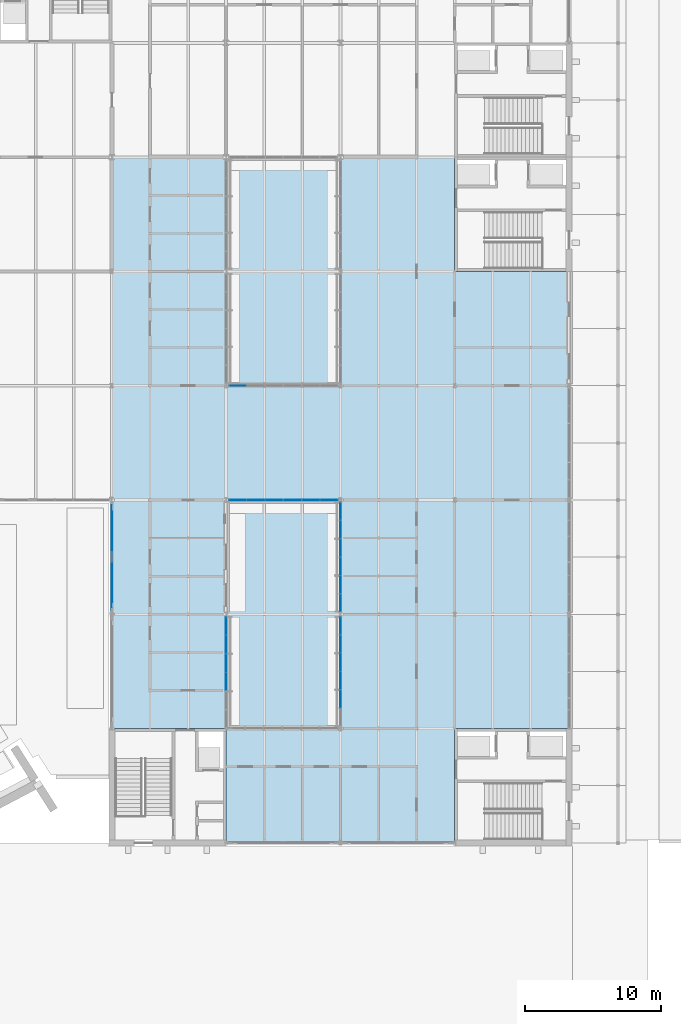
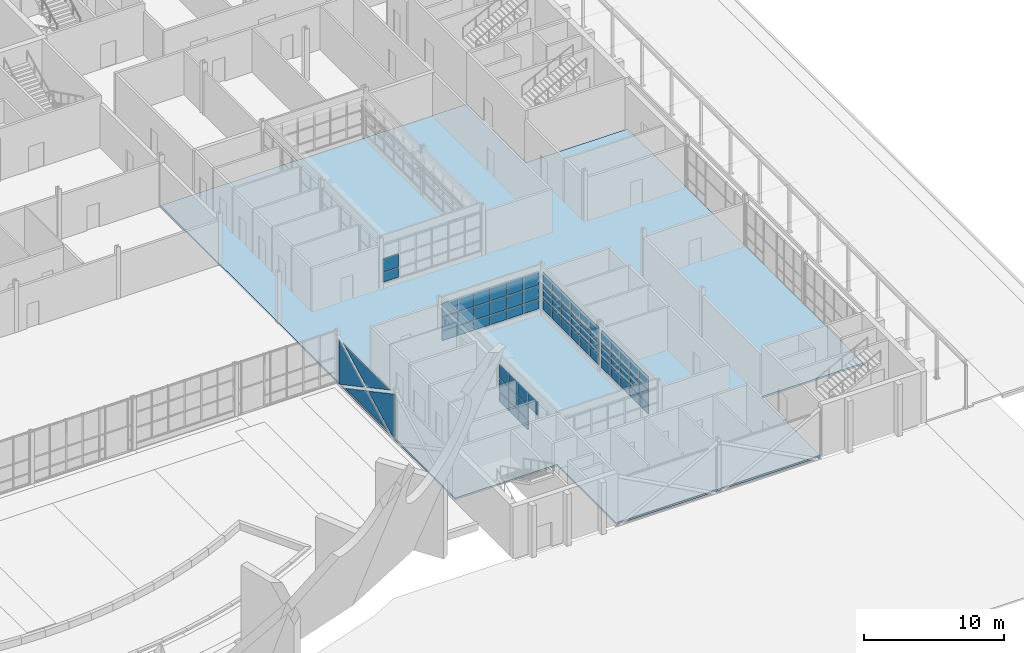
# One storey, part 76 of 116: 67 plates, 1 slab, 6 elements without a shape of their own.
"""IFC4 building model written with IfcOpenShell, lengths in metres."""

from ifc_helpers import new_model, si_unit, direction, frame, origin, origin_2d, place, context, subcontext, project, spatial, polyline, rectangle, outline, extrude, material, layer, layer_set, type_object, element, aggregate, save


model = new_model("IFC4")

# Units and contexts
model_context = context("Model", 3, precision=1e-05, world=origin(), true_north=direction((0.0, 1.0)))
body_context = subcontext(model_context, "Body", "Model", "MODEL_VIEW")
ifc_project = project(units=[si_unit("LENGTHUNIT", "METRE"), si_unit("AREAUNIT", "SQUARE_METRE"), si_unit("VOLUMEUNIT", "CUBIC_METRE"), si_unit("PLANEANGLEUNIT", "RADIAN"), si_unit("MASSUNIT", "GRAM", prefix="KILO")], contexts=[model_context])

# Site, building, storey
site_placement = place(None, origin())
site = spatial("IfcSite", under=ifc_project, at=site_placement, CompositionType="ELEMENT")
building_placement = place(site_placement, origin())
building = spatial("IfcBuilding", under=site, at=building_placement, Name="Ardhachandra Cancer Care Centre", CompositionType="ELEMENT")
storey_placement = place(building_placement, origin())
storey = spatial("IfcBuildingStorey", under=building, at=storey_placement, Name="L00", CompositionType="ELEMENT", Elevation=0.0)

# Slab
ifc_material_1 = material(Name="Composite slab Concrete M30 on steel deck", Category="concrete")
ifc_layer_1 = layer(ifc_material_1, 0.14990234375)
ifc_layer_set_1 = layer_set([ifc_layer_1], Name="Composite slab Concrete M30 on steel deck")
slab_type = type_object("IfcSlabType", Name="Composite floor slab 150", PredefinedType="FLOOR", material=ifc_layer_set_1)
slab_placement = place(storey_placement, frame((0.0, 0.0, -0.14990234375)))
element("IfcSlab", 1, at=slab_placement, inside=storey, type_object=slab_type, Name="Floor slab V4", PredefinedType="FLOOR", context=body_context, shape_type="SweptSolid", body=[
    extrude(outline(polyline([(145.199951171875, 71.39990234375), (136.800048828125, 71.39990234375), (136.800048828125, 79.800048828125), (111.60009765625, 79.800048828125), (111.60009765625, 37.800048828125), (120.0, 37.800048828125), (120.0, 29.39990234375), (136.800048828125, 29.39990234375), (136.800048828125, 37.800048828125), (145.199951171875, 37.800048828125), (145.199951171875, 71.39990234375)])), origin(), (0.0, 0.0, 1.0), 0.14990234375),
])

# Curtain wall, plate
ifc_material_2 = material(Name="Aluminium extrusion", Category="aluminium")
ifc_layer_2 = layer(ifc_material_2, 0.14990234375)
ifc_layer_set_2 = layer_set([ifc_layer_2], Name="Aluminium extrusion")
curtain_wall_type = type_object("IfcCurtainWallType", Name="Curtain wall run", PredefinedType="NOTDEFINED", material=ifc_layer_set_2)
curtain_wall_1_placement = place(storey_placement, origin())
curtain_wall_1 = element("IfcCurtainWall", 2, at=curtain_wall_1_placement, inside=storey, type_object=curtain_wall_type, Name="Curtain wall L00 n/0120000_0063000", PredefinedType="NOTDEFINED")
ifc_material_3 = material(Name="Low-iron double-glazed unit")
ifc_layer_3 = layer(ifc_material_3, 0.028076171875)
ifc_layer_set_3 = layer_set([ifc_layer_3], Name="Low-iron double-glazed unit")
plate_type_1 = type_object("IfcPlateType", Name="Curtain wall glazing 28", PredefinedType="CURTAIN_PANEL", material=ifc_layer_set_3)
plate_1_placement = place(storey_placement, frame((120.840087890625, 63.0, 1.3798828125), z_axis=(0.0, 0.0, 1.0), x_axis=(1.0, 0.0, 0.0)))
plate_1 = element("IfcPlate", 3, at=plate_1_placement, type_object=plate_type_1, Name="CW panel 1.2", PredefinedType="CURTAIN_PANEL", context=body_context, shape_type="SweptSolid", body=[
    extrude(rectangle(XDim=1.260009765625, YDim=0.028076171875, at=origin_2d()), origin(), (0.0, 0.0, 1.0), 1.139892578125),
])

# Curtain wall, plates
curtain_wall_2_placement = place(storey_placement, origin())
curtain_wall_2 = element("IfcCurtainWall", 4, at=curtain_wall_2_placement, inside=storey, type_object=curtain_wall_type, Name="Curtain wall L00 s/0120000_0054600", PredefinedType="NOTDEFINED")
plate_2_placement = place(storey_placement, frame((120.840087890625, 54.60009765625, 1.3798828125), z_axis=(0.0, 0.0, 1.0), x_axis=(1.0, 0.0, 0.0)))
plate_2 = element("IfcPlate", 5, at=plate_2_placement, type_object=plate_type_1, Name="CW panel 1.2", PredefinedType="CURTAIN_PANEL", context=body_context, shape_type="SweptSolid", body=[
    extrude(rectangle(XDim=1.260009765625, YDim=0.028076171875, at=origin_2d()), origin(), (0.0, 0.0, 1.0), 1.139892578125),
])
plate_3_placement = place(storey_placement, frame((120.840087890625, 54.60009765625, 2.580078125), z_axis=(0.0, 0.0, 1.0), x_axis=(1.0, 0.0, 0.0)))
plate_3 = element("IfcPlate", 6, at=plate_3_placement, type_object=plate_type_1, Name="CW panel 1.3", PredefinedType="CURTAIN_PANEL", context=body_context, shape_type="SweptSolid", body=[
    extrude(rectangle(XDim=1.260009765625, YDim=0.028076171875, at=origin_2d()), origin(), (0.0, 0.0, 1.0), 1.159912109375),
])
plate_4_placement = place(storey_placement, frame((122.175048828125, 54.60009765625, 1.3798828125), z_axis=(0.0, 0.0, 1.0), x_axis=(1.0, 0.0, 0.0)))
plate_4 = element("IfcPlate", 7, at=plate_4_placement, type_object=plate_type_1, Name="CW panel 2.2", PredefinedType="CURTAIN_PANEL", context=body_context, shape_type="SweptSolid", body=[
    extrude(rectangle(XDim=1.2900390625, YDim=0.028076171875, at=origin_2d()), origin(), (0.0, 0.0, 1.0), 1.139892578125),
])
plate_5_placement = place(storey_placement, frame((122.175048828125, 54.60009765625, 2.580078125), z_axis=(0.0, 0.0, 1.0), x_axis=(1.0, 0.0, 0.0)))
plate_5 = element("IfcPlate", 8, at=plate_5_placement, type_object=plate_type_1, Name="CW panel 2.3", PredefinedType="CURTAIN_PANEL", context=body_context, shape_type="SweptSolid", body=[
    extrude(rectangle(XDim=1.2900390625, YDim=0.028076171875, at=origin_2d()), origin(), (0.0, 0.0, 1.0), 1.159912109375),
])
plate_6_placement = place(storey_placement, frame((123.52490234375, 54.60009765625, 1.3798828125), z_axis=(0.0, 0.0, 1.0), x_axis=(1.0, 0.0, 0.0)))
plate_6 = element("IfcPlate", 9, at=plate_6_placement, type_object=plate_type_1, Name="CW panel 3.2", PredefinedType="CURTAIN_PANEL", context=body_context, shape_type="SweptSolid", body=[
    extrude(rectangle(XDim=1.2900390625, YDim=0.028076171875, at=origin_2d()), origin(), (0.0, 0.0, 1.0), 1.139892578125),
])
plate_7_placement = place(storey_placement, frame((123.52490234375, 54.60009765625, 2.580078125), z_axis=(0.0, 0.0, 1.0), x_axis=(1.0, 0.0, 0.0)))
plate_7 = element("IfcPlate", 10, at=plate_7_placement, type_object=plate_type_1, Name="CW panel 3.3", PredefinedType="CURTAIN_PANEL", context=body_context, shape_type="SweptSolid", body=[
    extrude(rectangle(XDim=1.2900390625, YDim=0.028076171875, at=origin_2d()), origin(), (0.0, 0.0, 1.0), 1.159912109375),
])
plate_8_placement = place(storey_placement, frame((124.875, 54.60009765625, 1.3798828125), z_axis=(0.0, 0.0, 1.0), x_axis=(1.0, 0.0, 0.0)))
plate_8 = element("IfcPlate", 11, at=plate_8_placement, type_object=plate_type_1, Name="CW panel 4.2", PredefinedType="CURTAIN_PANEL", context=body_context, shape_type="SweptSolid", body=[
    extrude(rectangle(XDim=1.2900390625, YDim=0.028076171875, at=origin_2d()), origin(), (0.0, 0.0, 1.0), 1.139892578125),
])
plate_9_placement = place(storey_placement, frame((124.875, 54.60009765625, 2.580078125), z_axis=(0.0, 0.0, 1.0), x_axis=(1.0, 0.0, 0.0)))
plate_9 = element("IfcPlate", 12, at=plate_9_placement, type_object=plate_type_1, Name="CW panel 4.3", PredefinedType="CURTAIN_PANEL", context=body_context, shape_type="SweptSolid", body=[
    extrude(rectangle(XDim=1.2900390625, YDim=0.028076171875, at=origin_2d()), origin(), (0.0, 0.0, 1.0), 1.159912109375),
])
plate_10_placement = place(storey_placement, frame((126.22509765625, 54.60009765625, 1.3798828125), z_axis=(0.0, 0.0, 1.0), x_axis=(1.0, 0.0, 0.0)))
plate_10 = element("IfcPlate", 13, at=plate_10_placement, type_object=plate_type_1, Name="CW panel 5.2", PredefinedType="CURTAIN_PANEL", context=body_context, shape_type="SweptSolid", body=[
    extrude(rectangle(XDim=1.2900390625, YDim=0.028076171875, at=origin_2d()), origin(), (0.0, 0.0, 1.0), 1.139892578125),
])
plate_11_placement = place(storey_placement, frame((126.22509765625, 54.60009765625, 2.580078125), z_axis=(0.0, 0.0, 1.0), x_axis=(1.0, 0.0, 0.0)))
plate_11 = element("IfcPlate", 14, at=plate_11_placement, type_object=plate_type_1, Name="CW panel 5.3", PredefinedType="CURTAIN_PANEL", context=body_context, shape_type="SweptSolid", body=[
    extrude(rectangle(XDim=1.2900390625, YDim=0.028076171875, at=origin_2d()), origin(), (0.0, 0.0, 1.0), 1.159912109375),
])
plate_12_placement = place(storey_placement, frame((127.56005859375, 54.60009765625, 1.3798828125), z_axis=(0.0, 0.0, 1.0), x_axis=(1.0, 0.0, 0.0)))
plate_12 = element("IfcPlate", 15, at=plate_12_placement, type_object=plate_type_1, Name="CW panel 6.2", PredefinedType="CURTAIN_PANEL", context=body_context, shape_type="SweptSolid", body=[
    extrude(rectangle(XDim=1.260009765625, YDim=0.028076171875, at=origin_2d()), origin(), (0.0, 0.0, 1.0), 1.139892578125),
])
plate_13_placement = place(storey_placement, frame((127.56005859375, 54.60009765625, 2.580078125), z_axis=(0.0, 0.0, 1.0), x_axis=(1.0, 0.0, 0.0)))
plate_13 = element("IfcPlate", 16, at=plate_13_placement, type_object=plate_type_1, Name="CW panel 6.3", PredefinedType="CURTAIN_PANEL", context=body_context, shape_type="SweptSolid", body=[
    extrude(rectangle(XDim=1.260009765625, YDim=0.028076171875, at=origin_2d()), origin(), (0.0, 0.0, 1.0), 1.159912109375),
])

curtain_wall_3_placement = place(storey_placement, origin())
curtain_wall_3 = element("IfcCurtainWall", 17, at=curtain_wall_3_placement, inside=storey, type_object=curtain_wall_type, Name="Curtain wall L00 w/0128400_0037800", PredefinedType="NOTDEFINED")
plate_14_placement = place(storey_placement, frame((128.39990234375, 39.97509765625, 1.3798828125), z_axis=(0.0, 0.0, 1.0), x_axis=(0.0, 1.0, 0.0)))
plate_14 = element("IfcPlate", 18, at=plate_14_placement, type_object=plate_type_1, Name="CW panel 2.2", PredefinedType="CURTAIN_PANEL", context=body_context, shape_type="SweptSolid", body=[
    extrude(rectangle(XDim=1.2900390625, YDim=0.028076171875, at=origin_2d()), origin(), (0.0, 0.0, 1.0), 1.139892578125),
])
plate_15_placement = place(storey_placement, frame((128.39990234375, 39.97509765625, 2.580078125), z_axis=(0.0, 0.0, 1.0), x_axis=(0.0, 1.0, 0.0)))
plate_15 = element("IfcPlate", 19, at=plate_15_placement, type_object=plate_type_1, Name="CW panel 2.3", PredefinedType="CURTAIN_PANEL", context=body_context, shape_type="SweptSolid", body=[
    extrude(rectangle(XDim=1.2900390625, YDim=0.028076171875, at=origin_2d()), origin(), (0.0, 0.0, 1.0), 1.159912109375),
])
plate_16_placement = place(storey_placement, frame((128.39990234375, 41.324951171875, 1.3798828125), z_axis=(0.0, 0.0, 1.0), x_axis=(0.0, 1.0, 0.0)))
plate_16 = element("IfcPlate", 20, at=plate_16_placement, type_object=plate_type_1, Name="CW panel 3.2", PredefinedType="CURTAIN_PANEL", context=body_context, shape_type="SweptSolid", body=[
    extrude(rectangle(XDim=1.2900390625, YDim=0.028076171875, at=origin_2d()), origin(), (0.0, 0.0, 1.0), 1.139892578125),
])
plate_17_placement = place(storey_placement, frame((128.39990234375, 41.324951171875, 2.580078125), z_axis=(0.0, 0.0, 1.0), x_axis=(0.0, 1.0, 0.0)))
plate_17 = element("IfcPlate", 21, at=plate_17_placement, type_object=plate_type_1, Name="CW panel 3.3", PredefinedType="CURTAIN_PANEL", context=body_context, shape_type="SweptSolid", body=[
    extrude(rectangle(XDim=1.2900390625, YDim=0.028076171875, at=origin_2d()), origin(), (0.0, 0.0, 1.0), 1.159912109375),
])
plate_18_placement = place(storey_placement, frame((128.39990234375, 42.675048828125, 1.3798828125), z_axis=(0.0, 0.0, 1.0), x_axis=(0.0, 1.0, 0.0)))
plate_18 = element("IfcPlate", 22, at=plate_18_placement, type_object=plate_type_1, Name="CW panel 4.2", PredefinedType="CURTAIN_PANEL", context=body_context, shape_type="SweptSolid", body=[
    extrude(rectangle(XDim=1.2900390625, YDim=0.028076171875, at=origin_2d()), origin(), (0.0, 0.0, 1.0), 1.139892578125),
])
plate_19_placement = place(storey_placement, frame((128.39990234375, 42.675048828125, 2.580078125), z_axis=(0.0, 0.0, 1.0), x_axis=(0.0, 1.0, 0.0)))
plate_19 = element("IfcPlate", 23, at=plate_19_placement, type_object=plate_type_1, Name="CW panel 4.3", PredefinedType="CURTAIN_PANEL", context=body_context, shape_type="SweptSolid", body=[
    extrude(rectangle(XDim=1.2900390625, YDim=0.028076171875, at=origin_2d()), origin(), (0.0, 0.0, 1.0), 1.159912109375),
])
plate_20_placement = place(storey_placement, frame((128.39990234375, 44.02490234375, 1.3798828125), z_axis=(0.0, 0.0, 1.0), x_axis=(0.0, 1.0, 0.0)))
plate_20 = element("IfcPlate", 24, at=plate_20_placement, type_object=plate_type_1, Name="CW panel 5.2", PredefinedType="CURTAIN_PANEL", context=body_context, shape_type="SweptSolid", body=[
    extrude(rectangle(XDim=1.2900390625, YDim=0.028076171875, at=origin_2d()), origin(), (0.0, 0.0, 1.0), 1.139892578125),
])
plate_21_placement = place(storey_placement, frame((128.39990234375, 44.02490234375, 2.580078125), z_axis=(0.0, 0.0, 1.0), x_axis=(0.0, 1.0, 0.0)))
plate_21 = element("IfcPlate", 25, at=plate_21_placement, type_object=plate_type_1, Name="CW panel 5.3", PredefinedType="CURTAIN_PANEL", context=body_context, shape_type="SweptSolid", body=[
    extrude(rectangle(XDim=1.2900390625, YDim=0.028076171875, at=origin_2d()), origin(), (0.0, 0.0, 1.0), 1.159912109375),
])
plate_22_placement = place(storey_placement, frame((128.39990234375, 45.360107421875, 1.3798828125), z_axis=(0.0, 0.0, 1.0), x_axis=(0.0, 1.0, 0.0)))
plate_22 = element("IfcPlate", 26, at=plate_22_placement, type_object=plate_type_1, Name="CW panel 6.2", PredefinedType="CURTAIN_PANEL", context=body_context, shape_type="SweptSolid", body=[
    extrude(rectangle(XDim=1.260009765625, YDim=0.028076171875, at=origin_2d()), origin(), (0.0, 0.0, 1.0), 1.139892578125),
])
plate_23_placement = place(storey_placement, frame((128.39990234375, 45.360107421875, 2.580078125), z_axis=(0.0, 0.0, 1.0), x_axis=(0.0, 1.0, 0.0)))
plate_23 = element("IfcPlate", 27, at=plate_23_placement, type_object=plate_type_1, Name="CW panel 6.3", PredefinedType="CURTAIN_PANEL", context=body_context, shape_type="SweptSolid", body=[
    extrude(rectangle(XDim=1.260009765625, YDim=0.028076171875, at=origin_2d()), origin(), (0.0, 0.0, 1.0), 1.159912109375),
])

curtain_wall_4_placement = place(storey_placement, origin())
curtain_wall_4 = element("IfcCurtainWall", 28, at=curtain_wall_4_placement, inside=storey, type_object=curtain_wall_type, Name="Curtain wall L00 w/0111600_0046200", PredefinedType="NOTDEFINED")
plate_24_placement = place(storey_placement, frame((111.60009765625, 54.340087890625, 3.7900390625), z_axis=(-1.0, 0.0, 0.0), x_axis=(0.0, 0.0, -1.0)))
plate_24 = element("IfcPlate", 29, at=plate_24_placement, type_object=plate_type_1, Name="CW panel 1.1", PredefinedType="CURTAIN_PANEL", context=body_context, shape_type="SweptSolid", body=[
    extrude(outline(polyline([(0.0, 0.0), (3.72998046875, 0.0), (3.72998046875, 0.3076171875), (1.93994140625, 3.64892578125), (0.0, 0.027587890625), (0.0, 0.0)])), origin(), (0.0, 0.0, 1.0), 0.028076171875),
])
plate_25_placement = place(storey_placement, frame((111.60009765625, 53.730224609375, 3.7900390625), z_axis=(-1.0, 0.0, 0.0), x_axis=(0.0, -0.881498222146, -0.472187340314)))
plate_25 = element("IfcPlate", 30, at=plate_25_placement, type_object=plate_type_1, Name="CW panel 1.1", PredefinedType="CURTAIN_PANEL", context=body_context, shape_type="SweptSolid", body=[
    extrude(outline(polyline([(0.0, 0.0), (3.778076171875, 0.0), (5.87109375, 3.14501953125), (0.0, 0.0)])), frame((0.0, 0.0, -0.028076171875)), (0.0, 0.0, 1.0), 0.028076171875),
])
plate_26_placement = place(storey_placement, frame((111.60009765625, 46.405029296875, 0.06005859375), z_axis=(-1.0, 0.0, 0.0), x_axis=(0.0, 0.0, 1.0)))
plate_26 = element("IfcPlate", 31, at=plate_26_placement, type_object=plate_type_1, Name="CW panel 1.1", PredefinedType="CURTAIN_PANEL", context=body_context, shape_type="SweptSolid", body=[
    extrude(outline(polyline([(0.0, 0.0), (3.72998046875, 0.0), (3.72998046875, 0.08251953125), (1.7900390625, 3.703857421875), (0.0, 0.362548828125), (0.0, 0.0)])), origin(), (0.0, 0.0, 1.0), 0.028076171875),
])
plate_27_placement = place(storey_placement, frame((111.60009765625, 47.349853515625, 0.06005859375), z_axis=(-1.0, 0.0, 0.0), x_axis=(0.0, 0.881470529599, 0.472239034228)))
plate_27 = element("IfcPlate", 32, at=plate_27_placement, type_object=plate_type_1, Name="CW panel 1.1", PredefinedType="CURTAIN_PANEL", context=body_context, shape_type="SweptSolid", body=[
    extrude(outline(polyline([(0.0, 0.0), (3.460205078125, 0.0), (5.377197265625, 2.880859375), (0.0, 0.0)])), frame((0.0, 0.0, -0.028076171875)), (0.0, 0.0, 1.0), 0.028076171875),
])
aggregate(curtain_wall_4, [plate_24, plate_25, plate_26, plate_27])

curtain_wall_5_placement = place(storey_placement, origin())
curtain_wall_5 = element("IfcCurtainWall", 33, at=curtain_wall_5_placement, inside=storey, type_object=curtain_wall_type, Name="Curtain wall L00 w/0128400_0046200", PredefinedType="NOTDEFINED")
plate_28_placement = place(storey_placement, frame((128.39990234375, 47.0400390625, 1.3798828125), z_axis=(0.0, 0.0, 1.0), x_axis=(0.0, 1.0, 0.0)))
plate_28 = element("IfcPlate", 34, at=plate_28_placement, type_object=plate_type_1, Name="CW panel 1.2", PredefinedType="CURTAIN_PANEL", context=body_context, shape_type="SweptSolid", body=[
    extrude(rectangle(XDim=1.260009765625, YDim=0.028076171875, at=origin_2d()), origin(), (0.0, 0.0, 1.0), 1.139892578125),
])
plate_29_placement = place(storey_placement, frame((128.39990234375, 47.0400390625, 2.580078125), z_axis=(0.0, 0.0, 1.0), x_axis=(0.0, 1.0, 0.0)))
plate_29 = element("IfcPlate", 35, at=plate_29_placement, type_object=plate_type_1, Name="CW panel 1.3", PredefinedType="CURTAIN_PANEL", context=body_context, shape_type="SweptSolid", body=[
    extrude(rectangle(XDim=1.260009765625, YDim=0.028076171875, at=origin_2d()), origin(), (0.0, 0.0, 1.0), 1.159912109375),
])
plate_30_placement = place(storey_placement, frame((128.39990234375, 48.375, 1.3798828125), z_axis=(0.0, 0.0, 1.0), x_axis=(0.0, 1.0, 0.0)))
plate_30 = element("IfcPlate", 36, at=plate_30_placement, type_object=plate_type_1, Name="CW panel 2.2", PredefinedType="CURTAIN_PANEL", context=body_context, shape_type="SweptSolid", body=[
    extrude(rectangle(XDim=1.2900390625, YDim=0.028076171875, at=origin_2d()), origin(), (0.0, 0.0, 1.0), 1.139892578125),
])
plate_31_placement = place(storey_placement, frame((128.39990234375, 48.375, 2.580078125), z_axis=(0.0, 0.0, 1.0), x_axis=(0.0, 1.0, 0.0)))
plate_31 = element("IfcPlate", 37, at=plate_31_placement, type_object=plate_type_1, Name="CW panel 2.3", PredefinedType="CURTAIN_PANEL", context=body_context, shape_type="SweptSolid", body=[
    extrude(rectangle(XDim=1.2900390625, YDim=0.028076171875, at=origin_2d()), origin(), (0.0, 0.0, 1.0), 1.159912109375),
])

curtain_wall_6_placement = place(storey_placement, origin())
curtain_wall_6 = element("IfcCurtainWall", 38, at=curtain_wall_6_placement, inside=storey, type_object=curtain_wall_type, Name="Curtain wall L00 e/0120000_0037800", PredefinedType="NOTDEFINED")
ifc_material_4 = material(Name="Aluminium composite spandrel panel", Category="aluminium")
ifc_layer_4 = layer(ifc_material_4, 0.028076171875)
ifc_layer_set_4 = layer_set([ifc_layer_4], Name="Aluminium composite spandrel panel")
plate_type_2 = type_object("IfcPlateType", Name="Curtain wall spandrel panel 28", PredefinedType="CURTAIN_PANEL", material=ifc_layer_set_4)
plate_32_placement = place(storey_placement, frame((120.0, 41.237548828125, 2.580078125), z_axis=(0.0, 0.0, 1.0), x_axis=(0.0, 1.0, 0.0)))
plate_32 = element("IfcPlate", 39, at=plate_32_placement, type_object=plate_type_2, Name="CW panel 3.3", PredefinedType="CURTAIN_PANEL", context=body_context, shape_type="SweptSolid", body=[
    extrude(rectangle(XDim=1.31494140625, YDim=0.028076171875, at=origin_2d()), origin(), (0.0, 0.0, 1.0), 1.159912109375),
])
plate_33_placement = place(storey_placement, frame((120.0, 42.612548828125, 0.510009765625), z_axis=(0.0, 0.0, 1.0), x_axis=(0.0, 1.0, 0.0)))
plate_33 = element("IfcPlate", 40, at=plate_33_placement, type_object=plate_type_2, Name="CW panel 4.1", PredefinedType="CURTAIN_PANEL", context=body_context, shape_type="SweptSolid", body=[
    extrude(rectangle(XDim=1.31494140625, YDim=0.028076171875, at=origin_2d()), origin(), (0.0, 0.0, 1.0), 0.81005859375),
])
plate_34_placement = place(storey_placement, frame((120.0, 42.612548828125, 1.3798828125), z_axis=(0.0, 0.0, 1.0), x_axis=(0.0, 1.0, 0.0)))
plate_34 = element("IfcPlate", 41, at=plate_34_placement, type_object=plate_type_2, Name="CW panel 4.2", PredefinedType="CURTAIN_PANEL", context=body_context, shape_type="SweptSolid", body=[
    extrude(rectangle(XDim=1.31494140625, YDim=0.028076171875, at=origin_2d()), origin(), (0.0, 0.0, 1.0), 1.139892578125),
])
plate_35_placement = place(storey_placement, frame((120.0, 42.612548828125, 2.580078125), z_axis=(0.0, 0.0, 1.0), x_axis=(0.0, 1.0, 0.0)))
plate_35 = element("IfcPlate", 42, at=plate_35_placement, type_object=plate_type_2, Name="CW panel 4.3", PredefinedType="CURTAIN_PANEL", context=body_context, shape_type="SweptSolid", body=[
    extrude(rectangle(XDim=1.31494140625, YDim=0.028076171875, at=origin_2d()), origin(), (0.0, 0.0, 1.0), 1.159912109375),
])
plate_36_placement = place(storey_placement, frame((120.0, 43.987548828125, 0.510009765625), z_axis=(0.0, 0.0, 1.0), x_axis=(0.0, 1.0, 0.0)))
plate_36 = element("IfcPlate", 43, at=plate_36_placement, type_object=plate_type_2, Name="CW panel 5.1", PredefinedType="CURTAIN_PANEL", context=body_context, shape_type="SweptSolid", body=[
    extrude(rectangle(XDim=1.31494140625, YDim=0.028076171875, at=origin_2d()), origin(), (0.0, 0.0, 1.0), 0.81005859375),
])
plate_37_placement = place(storey_placement, frame((120.0, 43.987548828125, 1.3798828125), z_axis=(0.0, 0.0, 1.0), x_axis=(0.0, 1.0, 0.0)))
plate_37 = element("IfcPlate", 44, at=plate_37_placement, type_object=plate_type_2, Name="CW panel 5.2", PredefinedType="CURTAIN_PANEL", context=body_context, shape_type="SweptSolid", body=[
    extrude(rectangle(XDim=1.31494140625, YDim=0.028076171875, at=origin_2d()), origin(), (0.0, 0.0, 1.0), 1.139892578125),
])
plate_38_placement = place(storey_placement, frame((120.0, 43.987548828125, 2.580078125), z_axis=(0.0, 0.0, 1.0), x_axis=(0.0, 1.0, 0.0)))
plate_38 = element("IfcPlate", 45, at=plate_38_placement, type_object=plate_type_2, Name="CW panel 5.3", PredefinedType="CURTAIN_PANEL", context=body_context, shape_type="SweptSolid", body=[
    extrude(rectangle(XDim=1.31494140625, YDim=0.028076171875, at=origin_2d()), origin(), (0.0, 0.0, 1.0), 1.159912109375),
])
plate_39_placement = place(storey_placement, frame((120.0, 45.347412109375, 0.510009765625), z_axis=(0.0, 0.0, 1.0), x_axis=(0.0, 1.0, 0.0)))
plate_39 = element("IfcPlate", 46, at=plate_39_placement, type_object=plate_type_2, Name="CW panel 6.1", PredefinedType="CURTAIN_PANEL", context=body_context, shape_type="SweptSolid", body=[
    extrude(rectangle(XDim=1.284912109375, YDim=0.028076171875, at=origin_2d()), origin(), (0.0, 0.0, 1.0), 0.81005859375),
])
plate_40_placement = place(storey_placement, frame((120.0, 45.347412109375, 1.3798828125), z_axis=(0.0, 0.0, 1.0), x_axis=(0.0, 1.0, 0.0)))
plate_40 = element("IfcPlate", 47, at=plate_40_placement, type_object=plate_type_2, Name="CW panel 6.2", PredefinedType="CURTAIN_PANEL", context=body_context, shape_type="SweptSolid", body=[
    extrude(rectangle(XDim=1.284912109375, YDim=0.028076171875, at=origin_2d()), origin(), (0.0, 0.0, 1.0), 1.139892578125),
])
plate_41_placement = place(storey_placement, frame((120.0, 45.347412109375, 2.580078125), z_axis=(0.0, 0.0, 1.0), x_axis=(0.0, 1.0, 0.0)))
plate_41 = element("IfcPlate", 48, at=plate_41_placement, type_object=plate_type_2, Name="CW panel 6.3", PredefinedType="CURTAIN_PANEL", context=body_context, shape_type="SweptSolid", body=[
    extrude(rectangle(XDim=1.284912109375, YDim=0.028076171875, at=origin_2d()), origin(), (0.0, 0.0, 1.0), 1.159912109375),
])
aggregate(curtain_wall_6, [plate_32, plate_33, plate_34, plate_35, plate_36, plate_37, plate_38, plate_39, plate_40, plate_41])

# Plate
plate_42_placement = place(storey_placement, frame((120.840087890625, 63.0, 0.510009765625), z_axis=(0.0, 0.0, 1.0), x_axis=(1.0, 0.0, 0.0)))
plate_42 = element("IfcPlate", 49, at=plate_42_placement, type_object=plate_type_2, Name="CW panel 1.1", PredefinedType="CURTAIN_PANEL", context=body_context, shape_type="SweptSolid", body=[
    extrude(rectangle(XDim=1.260009765625, YDim=0.028076171875, at=origin_2d()), origin(), (0.0, 0.0, 1.0), 0.81005859375),
])

aggregate(curtain_wall_1, [plate_42, plate_1])

plate_43_placement = place(storey_placement, frame((120.840087890625, 54.60009765625, 0.510009765625), z_axis=(0.0, 0.0, 1.0), x_axis=(1.0, 0.0, 0.0)))
plate_43 = element("IfcPlate", 50, at=plate_43_placement, type_object=plate_type_2, Name="CW panel 1.1", PredefinedType="CURTAIN_PANEL", context=body_context, shape_type="SweptSolid", body=[
    extrude(rectangle(XDim=1.260009765625, YDim=0.028076171875, at=origin_2d()), origin(), (0.0, 0.0, 1.0), 0.81005859375),
])

plate_44_placement = place(storey_placement, frame((122.175048828125, 54.60009765625, 0.510009765625), z_axis=(0.0, 0.0, 1.0), x_axis=(1.0, 0.0, 0.0)))
plate_44 = element("IfcPlate", 51, at=plate_44_placement, type_object=plate_type_2, Name="CW panel 2.1", PredefinedType="CURTAIN_PANEL", context=body_context, shape_type="SweptSolid", body=[
    extrude(rectangle(XDim=1.2900390625, YDim=0.028076171875, at=origin_2d()), origin(), (0.0, 0.0, 1.0), 0.81005859375),
])

plate_45_placement = place(storey_placement, frame((123.52490234375, 54.60009765625, 0.510009765625), z_axis=(0.0, 0.0, 1.0), x_axis=(1.0, 0.0, 0.0)))
plate_45 = element("IfcPlate", 52, at=plate_45_placement, type_object=plate_type_2, Name="CW panel 3.1", PredefinedType="CURTAIN_PANEL", context=body_context, shape_type="SweptSolid", body=[
    extrude(rectangle(XDim=1.2900390625, YDim=0.028076171875, at=origin_2d()), origin(), (0.0, 0.0, 1.0), 0.81005859375),
])

plate_46_placement = place(storey_placement, frame((124.875, 54.60009765625, 0.510009765625), z_axis=(0.0, 0.0, 1.0), x_axis=(1.0, 0.0, 0.0)))
plate_46 = element("IfcPlate", 53, at=plate_46_placement, type_object=plate_type_2, Name="CW panel 4.1", PredefinedType="CURTAIN_PANEL", context=body_context, shape_type="SweptSolid", body=[
    extrude(rectangle(XDim=1.2900390625, YDim=0.028076171875, at=origin_2d()), origin(), (0.0, 0.0, 1.0), 0.81005859375),
])

plate_47_placement = place(storey_placement, frame((126.22509765625, 54.60009765625, 0.510009765625), z_axis=(0.0, 0.0, 1.0), x_axis=(1.0, 0.0, 0.0)))
plate_47 = element("IfcPlate", 54, at=plate_47_placement, type_object=plate_type_2, Name="CW panel 5.1", PredefinedType="CURTAIN_PANEL", context=body_context, shape_type="SweptSolid", body=[
    extrude(rectangle(XDim=1.2900390625, YDim=0.028076171875, at=origin_2d()), origin(), (0.0, 0.0, 1.0), 0.81005859375),
])

plate_48_placement = place(storey_placement, frame((127.56005859375, 54.60009765625, 0.510009765625), z_axis=(0.0, 0.0, 1.0), x_axis=(1.0, 0.0, 0.0)))
plate_48 = element("IfcPlate", 55, at=plate_48_placement, type_object=plate_type_2, Name="CW panel 6.1", PredefinedType="CURTAIN_PANEL", context=body_context, shape_type="SweptSolid", body=[
    extrude(rectangle(XDim=1.260009765625, YDim=0.028076171875, at=origin_2d()), origin(), (0.0, 0.0, 1.0), 0.81005859375),
])

aggregate(curtain_wall_2, [plate_43, plate_2, plate_3, plate_44, plate_4, plate_5, plate_45, plate_6, plate_7, plate_46, plate_8, plate_9, plate_47, plate_10, plate_11, plate_48, plate_12, plate_13])

plate_49_placement = place(storey_placement, frame((128.39990234375, 39.97509765625, 0.510009765625), z_axis=(0.0, 0.0, 1.0), x_axis=(0.0, 1.0, 0.0)))
plate_49 = element("IfcPlate", 56, at=plate_49_placement, type_object=plate_type_2, Name="CW panel 2.1", PredefinedType="CURTAIN_PANEL", context=body_context, shape_type="SweptSolid", body=[
    extrude(rectangle(XDim=1.2900390625, YDim=0.028076171875, at=origin_2d()), origin(), (0.0, 0.0, 1.0), 0.81005859375),
])

plate_50_placement = place(storey_placement, frame((128.39990234375, 41.324951171875, 0.510009765625), z_axis=(0.0, 0.0, 1.0), x_axis=(0.0, 1.0, 0.0)))
plate_50 = element("IfcPlate", 57, at=plate_50_placement, type_object=plate_type_2, Name="CW panel 3.1", PredefinedType="CURTAIN_PANEL", context=body_context, shape_type="SweptSolid", body=[
    extrude(rectangle(XDim=1.2900390625, YDim=0.028076171875, at=origin_2d()), origin(), (0.0, 0.0, 1.0), 0.81005859375),
])

plate_51_placement = place(storey_placement, frame((128.39990234375, 42.675048828125, 0.510009765625), z_axis=(0.0, 0.0, 1.0), x_axis=(0.0, 1.0, 0.0)))
plate_51 = element("IfcPlate", 58, at=plate_51_placement, type_object=plate_type_2, Name="CW panel 4.1", PredefinedType="CURTAIN_PANEL", context=body_context, shape_type="SweptSolid", body=[
    extrude(rectangle(XDim=1.2900390625, YDim=0.028076171875, at=origin_2d()), origin(), (0.0, 0.0, 1.0), 0.81005859375),
])

plate_52_placement = place(storey_placement, frame((128.39990234375, 44.02490234375, 0.510009765625), z_axis=(0.0, 0.0, 1.0), x_axis=(0.0, 1.0, 0.0)))
plate_52 = element("IfcPlate", 59, at=plate_52_placement, type_object=plate_type_2, Name="CW panel 5.1", PredefinedType="CURTAIN_PANEL", context=body_context, shape_type="SweptSolid", body=[
    extrude(rectangle(XDim=1.2900390625, YDim=0.028076171875, at=origin_2d()), origin(), (0.0, 0.0, 1.0), 0.81005859375),
])

plate_53_placement = place(storey_placement, frame((128.39990234375, 45.360107421875, 0.510009765625), z_axis=(0.0, 0.0, 1.0), x_axis=(0.0, 1.0, 0.0)))
plate_53 = element("IfcPlate", 60, at=plate_53_placement, type_object=plate_type_2, Name="CW panel 6.1", PredefinedType="CURTAIN_PANEL", context=body_context, shape_type="SweptSolid", body=[
    extrude(rectangle(XDim=1.260009765625, YDim=0.028076171875, at=origin_2d()), origin(), (0.0, 0.0, 1.0), 0.81005859375),
])

aggregate(curtain_wall_3, [plate_49, plate_14, plate_15, plate_50, plate_16, plate_17, plate_51, plate_18, plate_19, plate_52, plate_20, plate_21, plate_53, plate_22, plate_23])

plate_54_placement = place(storey_placement, frame((128.39990234375, 47.0400390625, 0.510009765625), z_axis=(0.0, 0.0, 1.0), x_axis=(0.0, 1.0, 0.0)))
plate_54 = element("IfcPlate", 61, at=plate_54_placement, type_object=plate_type_2, Name="CW panel 1.1", PredefinedType="CURTAIN_PANEL", context=body_context, shape_type="SweptSolid", body=[
    extrude(rectangle(XDim=1.260009765625, YDim=0.028076171875, at=origin_2d()), origin(), (0.0, 0.0, 1.0), 0.81005859375),
])

plate_55_placement = place(storey_placement, frame((128.39990234375, 48.375, 0.510009765625), z_axis=(0.0, 0.0, 1.0), x_axis=(0.0, 1.0, 0.0)))
plate_55 = element("IfcPlate", 62, at=plate_55_placement, type_object=plate_type_2, Name="CW panel 2.1", PredefinedType="CURTAIN_PANEL", context=body_context, shape_type="SweptSolid", body=[
    extrude(rectangle(XDim=1.2900390625, YDim=0.028076171875, at=origin_2d()), origin(), (0.0, 0.0, 1.0), 0.81005859375),
])

plate_56_placement = place(storey_placement, frame((128.39990234375, 49.72509765625, 0.510009765625), z_axis=(0.0, 0.0, 1.0), x_axis=(0.0, 1.0, 0.0)))
plate_56 = element("IfcPlate", 63, at=plate_56_placement, type_object=plate_type_2, Name="CW panel 3.1", PredefinedType="CURTAIN_PANEL", context=body_context, shape_type="SweptSolid", body=[
    extrude(rectangle(XDim=1.2900390625, YDim=0.028076171875, at=origin_2d()), origin(), (0.0, 0.0, 1.0), 0.81005859375),
])

plate_57_placement = place(storey_placement, frame((128.39990234375, 49.72509765625, 1.3798828125), z_axis=(0.0, 0.0, 1.0), x_axis=(0.0, 1.0, 0.0)))
plate_57 = element("IfcPlate", 64, at=plate_57_placement, type_object=plate_type_2, Name="CW panel 3.2", PredefinedType="CURTAIN_PANEL", context=body_context, shape_type="SweptSolid", body=[
    extrude(rectangle(XDim=1.2900390625, YDim=0.028076171875, at=origin_2d()), origin(), (0.0, 0.0, 1.0), 1.139892578125),
])

plate_58_placement = place(storey_placement, frame((128.39990234375, 49.72509765625, 2.580078125), z_axis=(0.0, 0.0, 1.0), x_axis=(0.0, 1.0, 0.0)))
plate_58 = element("IfcPlate", 65, at=plate_58_placement, type_object=plate_type_2, Name="CW panel 3.3", PredefinedType="CURTAIN_PANEL", context=body_context, shape_type="SweptSolid", body=[
    extrude(rectangle(XDim=1.2900390625, YDim=0.028076171875, at=origin_2d()), origin(), (0.0, 0.0, 1.0), 1.159912109375),
])

plate_59_placement = place(storey_placement, frame((128.39990234375, 51.074951171875, 0.510009765625), z_axis=(0.0, 0.0, 1.0), x_axis=(0.0, 1.0, 0.0)))
plate_59 = element("IfcPlate", 66, at=plate_59_placement, type_object=plate_type_2, Name="CW panel 4.1", PredefinedType="CURTAIN_PANEL", context=body_context, shape_type="SweptSolid", body=[
    extrude(rectangle(XDim=1.2900390625, YDim=0.028076171875, at=origin_2d()), origin(), (0.0, 0.0, 1.0), 0.81005859375),
])

plate_60_placement = place(storey_placement, frame((128.39990234375, 51.074951171875, 1.3798828125), z_axis=(0.0, 0.0, 1.0), x_axis=(0.0, 1.0, 0.0)))
plate_60 = element("IfcPlate", 67, at=plate_60_placement, type_object=plate_type_2, Name="CW panel 4.2", PredefinedType="CURTAIN_PANEL", context=body_context, shape_type="SweptSolid", body=[
    extrude(rectangle(XDim=1.2900390625, YDim=0.028076171875, at=origin_2d()), origin(), (0.0, 0.0, 1.0), 1.139892578125),
])

plate_61_placement = place(storey_placement, frame((128.39990234375, 51.074951171875, 2.580078125), z_axis=(0.0, 0.0, 1.0), x_axis=(0.0, 1.0, 0.0)))
plate_61 = element("IfcPlate", 68, at=plate_61_placement, type_object=plate_type_2, Name="CW panel 4.3", PredefinedType="CURTAIN_PANEL", context=body_context, shape_type="SweptSolid", body=[
    extrude(rectangle(XDim=1.2900390625, YDim=0.028076171875, at=origin_2d()), origin(), (0.0, 0.0, 1.0), 1.159912109375),
])

plate_62_placement = place(storey_placement, frame((128.39990234375, 52.425048828125, 0.510009765625), z_axis=(0.0, 0.0, 1.0), x_axis=(0.0, 1.0, 0.0)))
plate_62 = element("IfcPlate", 69, at=plate_62_placement, type_object=plate_type_2, Name="CW panel 5.1", PredefinedType="CURTAIN_PANEL", context=body_context, shape_type="SweptSolid", body=[
    extrude(rectangle(XDim=1.2900390625, YDim=0.028076171875, at=origin_2d()), origin(), (0.0, 0.0, 1.0), 0.81005859375),
])

plate_63_placement = place(storey_placement, frame((128.39990234375, 52.425048828125, 1.3798828125), z_axis=(0.0, 0.0, 1.0), x_axis=(0.0, 1.0, 0.0)))
plate_63 = element("IfcPlate", 70, at=plate_63_placement, type_object=plate_type_2, Name="CW panel 5.2", PredefinedType="CURTAIN_PANEL", context=body_context, shape_type="SweptSolid", body=[
    extrude(rectangle(XDim=1.2900390625, YDim=0.028076171875, at=origin_2d()), origin(), (0.0, 0.0, 1.0), 1.139892578125),
])

plate_64_placement = place(storey_placement, frame((128.39990234375, 52.425048828125, 2.580078125), z_axis=(0.0, 0.0, 1.0), x_axis=(0.0, 1.0, 0.0)))
plate_64 = element("IfcPlate", 71, at=plate_64_placement, type_object=plate_type_2, Name="CW panel 5.3", PredefinedType="CURTAIN_PANEL", context=body_context, shape_type="SweptSolid", body=[
    extrude(rectangle(XDim=1.2900390625, YDim=0.028076171875, at=origin_2d()), origin(), (0.0, 0.0, 1.0), 1.159912109375),
])

plate_65_placement = place(storey_placement, frame((128.39990234375, 53.760009765625, 0.510009765625), z_axis=(0.0, 0.0, 1.0), x_axis=(0.0, 1.0, 0.0)))
plate_65 = element("IfcPlate", 72, at=plate_65_placement, type_object=plate_type_2, Name="CW panel 6.1", PredefinedType="CURTAIN_PANEL", context=body_context, shape_type="SweptSolid", body=[
    extrude(rectangle(XDim=1.260009765625, YDim=0.028076171875, at=origin_2d()), origin(), (0.0, 0.0, 1.0), 0.81005859375),
])

plate_66_placement = place(storey_placement, frame((128.39990234375, 53.760009765625, 1.3798828125), z_axis=(0.0, 0.0, 1.0), x_axis=(0.0, 1.0, 0.0)))
plate_66 = element("IfcPlate", 73, at=plate_66_placement, type_object=plate_type_2, Name="CW panel 6.2", PredefinedType="CURTAIN_PANEL", context=body_context, shape_type="SweptSolid", body=[
    extrude(rectangle(XDim=1.260009765625, YDim=0.028076171875, at=origin_2d()), origin(), (0.0, 0.0, 1.0), 1.139892578125),
])

plate_67_placement = place(storey_placement, frame((128.39990234375, 53.760009765625, 2.580078125), z_axis=(0.0, 0.0, 1.0), x_axis=(0.0, 1.0, 0.0)))
plate_67 = element("IfcPlate", 74, at=plate_67_placement, type_object=plate_type_2, Name="CW panel 6.3", PredefinedType="CURTAIN_PANEL", context=body_context, shape_type="SweptSolid", body=[
    extrude(rectangle(XDim=1.260009765625, YDim=0.028076171875, at=origin_2d()), origin(), (0.0, 0.0, 1.0), 1.159912109375),
])

aggregate(curtain_wall_5, [plate_54, plate_28, plate_29, plate_55, plate_30, plate_31, plate_56, plate_57, plate_58, plate_59, plate_60, plate_61, plate_62, plate_63, plate_64, plate_65, plate_66, plate_67])

save(model, "model.ifc")
